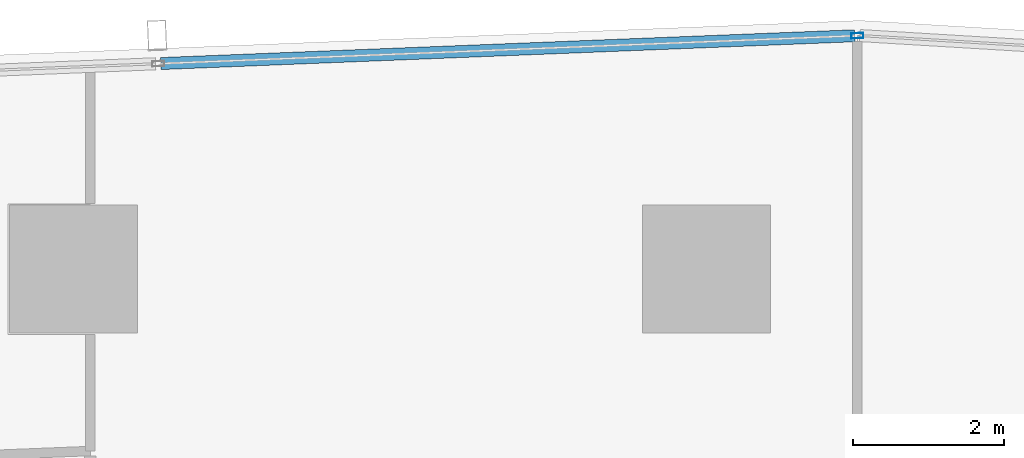
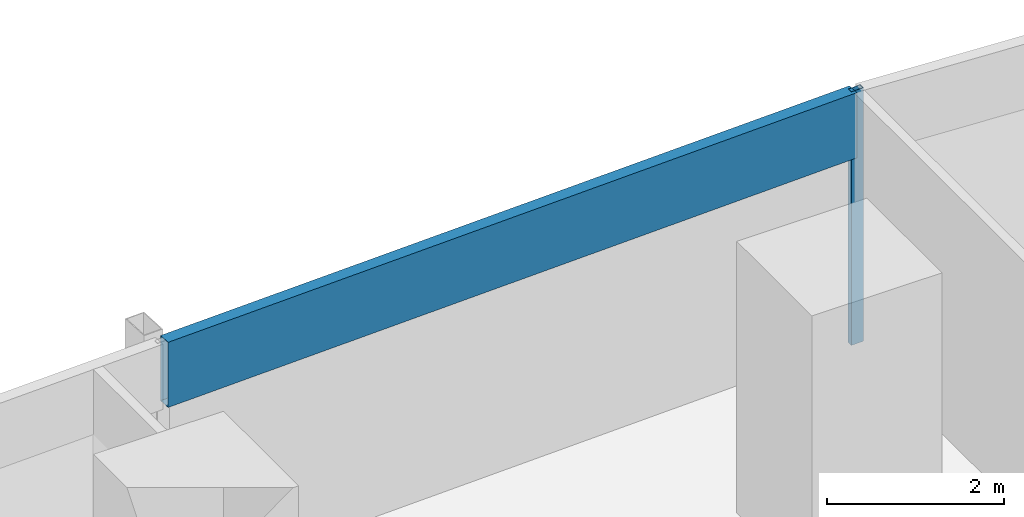
# One storey, part 21 of 40: 2 members, 1 element without a shape of its own.
"""IFC4 building model written with IfcOpenShell, lengths in metres."""

from ifc_helpers import new_model, si_unit, direction, frame, origin, origin_2d, place, context, subcontext, project, spatial, hollow_rectangle, extrude, material, material_profile, profile_set, type_object, element, aggregate, save


model = new_model("IFC4")

# Units and contexts
model_context = context("Model", 3, precision=1e-05, world=origin(), true_north=direction((0.0, 1.0)))
body_context = subcontext(model_context, "Body", "Model", "MODEL_VIEW")
ifc_project = project(units=[si_unit("LENGTHUNIT", "METRE"), si_unit("AREAUNIT", "SQUARE_METRE"), si_unit("VOLUMEUNIT", "CUBIC_METRE"), si_unit("PLANEANGLEUNIT", "RADIAN"), si_unit("MASSUNIT", "GRAM", prefix="KILO")], contexts=[model_context])

# Site, building, storey
site_placement = place(None, origin())
site = spatial("IfcSite", under=ifc_project, at=site_placement, CompositionType="ELEMENT")
building_placement = place(site_placement, origin())
building = spatial("IfcBuilding", under=site, at=building_placement, Name="Rekha Terrace Tower", CompositionType="ELEMENT")
storey_placement = place(building_placement, frame((0.0, 0.0, 136.550048828125)))
storey = spatial("IfcBuildingStorey", under=building, at=storey_placement, Name="L34", CompositionType="ELEMENT", Elevation=136.550048828125)

# Curtain wall, members
ifc_material_1 = material(Name="Aluminium framing", Category="aluminium")
curtain_wall_type = type_object("IfcCurtainWallType", Name="CW3 north unitised glazing", PredefinedType="USERDEFINED", material=ifc_material_1)
curtain_wall_placement = place(storey_placement, origin())
curtain_wall = element("IfcCurtainWall", 1, at=curtain_wall_placement, inside=storey, type_object=curtain_wall_type, Name="CW3 unitised curtain wall", ObjectType="UNITISED CURTAIN WALL", PredefinedType="USERDEFINED")
ifc_material_2 = material(Name="Aluminium mullion section", Category="aluminium")
ifc_material_profile_1 = material_profile(ifc_material_2, hollow_rectangle(XDim=0.070068359375, YDim=0.159912109375, WallThickness=0.00390625, at=origin_2d()), Name="AL RHS 70x160")
ifc_profile_set_1 = profile_set([ifc_material_profile_1], Name="Aluminium mullion section")
member_type_1 = type_object("IfcMemberType", Name="CW3 mullion RHS 70 x 160", PredefinedType="MULLION", material=ifc_profile_set_1)
member_1_placement = place(storey_placement, frame((44.0029296875, 61.8984375, 0.0), z_axis=(0.0, 0.0, 1.0), x_axis=(0.040031987119, -0.999198398721, 0.0)))
member_1 = element("IfcMember", 2, at=member_1_placement, type_object=member_type_1, Name="CW3 mullion 1", PredefinedType="MULLION", context=body_context, shape_type="SweptSolid", body=[
    extrude(hollow_rectangle(XDim=0.070068359375, YDim=0.159912109375, WallThickness=0.00390625, at=origin_2d()), origin(), (0.0, 0.0, 1.0), 3.5),
])
ifc_material_3 = material(Name="Insulated aluminium spandrel box", Category="aluminium")
ifc_material_profile_2 = material_profile(ifc_material_3, hollow_rectangle(XDim=0.159912109375, YDim=0.89990234375, WallThickness=0.0029296875, at=origin_2d()), Name="AL SPANDREL BOX 160x900")
ifc_profile_set_2 = profile_set([ifc_material_profile_2], Name="Insulated aluminium spandrel box")
member_type_2 = type_object("IfcMemberType", Name="CW3 spandrel transom 160 x 900", PredefinedType="USERDEFINED", material=ifc_profile_set_2)
member_2_placement = place(storey_placement, frame((43.968017578125, 61.89697265625, 3.050048828125), z_axis=(-0.999198290018, -0.04003470026, 0.0), x_axis=(0.04003470026, -0.999198290018, 0.0)))
member_2 = element("IfcMember", 3, at=member_2_placement, type_object=member_type_2, Name="CW3 spandrel transom 1", ObjectType="TRANSOM", PredefinedType="USERDEFINED", context=body_context, shape_type="SweptSolid", body=[
    extrude(hollow_rectangle(XDim=0.159912109375, YDim=0.89990234375, WallThickness=0.0029296875, at=origin_2d()), origin(), (0.0, 0.0, 1.0), 9.21435546875),
])
aggregate(curtain_wall, [member_1, member_2])

save(model, "model.ifc")
